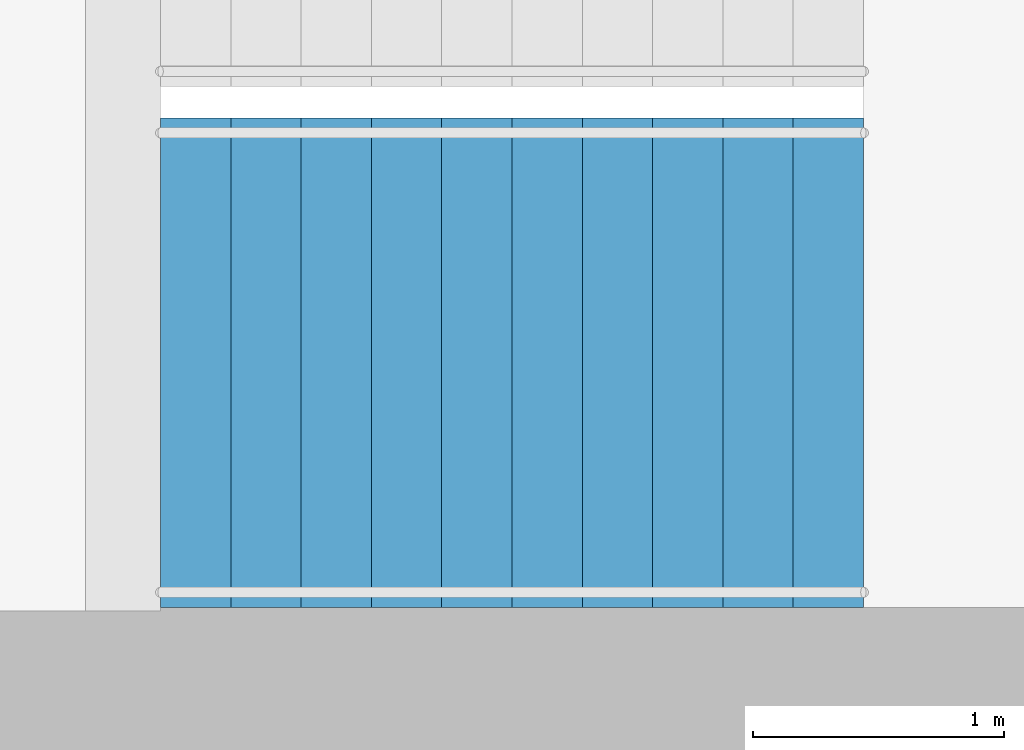
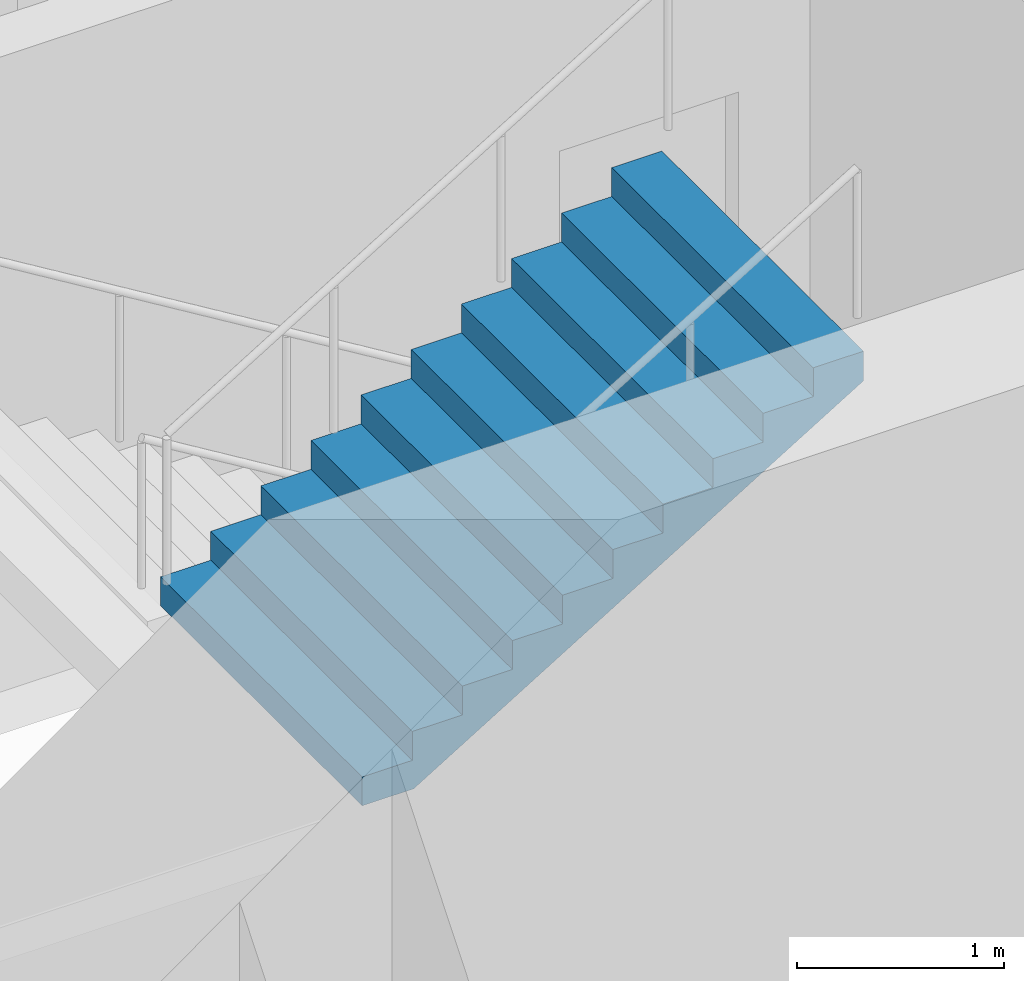
# One storey, part 20 of 22: 1 stair flight, 1 element without a shape of its own.
"""IFC4 building model written with IfcOpenShell, lengths in metres."""

from ifc_helpers import new_model, si_unit, direction, frame, origin, place, context, subcontext, project, spatial, triangles, material, type_object, element, aggregate, save


model = new_model("IFC4")

# Units and contexts
model_context = context("Model", 3, precision=1e-05, world=origin(), true_north=direction((0.0, 1.0)))
body_context = subcontext(model_context, "Body", "Model", "MODEL_VIEW")
ifc_project = project(units=[si_unit("LENGTHUNIT", "METRE"), si_unit("AREAUNIT", "SQUARE_METRE"), si_unit("VOLUMEUNIT", "CUBIC_METRE"), si_unit("PLANEANGLEUNIT", "RADIAN"), si_unit("MASSUNIT", "GRAM", prefix="KILO")], contexts=[model_context])

# Site, building, storey
site_placement = place(None, origin())
site = spatial("IfcSite", under=ifc_project, at=site_placement, CompositionType="ELEMENT")
building_placement = place(site_placement, origin())
building = spatial("IfcBuilding", under=site, at=building_placement, Name="Orbita Commons", CompositionType="ELEMENT")
storey_placement = place(building_placement, frame((0.0, 0.0, 156.10009765625)))
storey = spatial("IfcBuildingStorey", under=building, at=storey_placement, Name="L38", CompositionType="ELEMENT", Elevation=156.10009765625)

# Stair, stair flight
ifc_material_1 = material(Name="Precast concrete C40/50", Category="concrete")
stair_type = type_object("IfcStairType", Name="Exit stair S2 2 flights 11 risers 170", PredefinedType="HALF_TURN_STAIR", material=ifc_material_1)
stair_placement = place(storey_placement, origin())
stair = element("IfcStair", 1, at=stair_placement, inside=storey, type_object=stair_type, Name="Exit stair S2 L38", PredefinedType="HALF_TURN_STAIR")
ifc_material_2 = material(Name="Precast concrete C40/50", Category="concrete")
stair_flight_type = type_object("IfcStairFlightType", Name="Stair flight 11 risers 170 x 280", PredefinedType="STRAIGHT", material=ifc_material_2)
stair_flight_placement = place(storey_placement, frame((60.75, 27.199951171875, 1.875), z_axis=(0.0, 0.0, 1.0), x_axis=(1.0, 0.0, 0.0)))
stair_flight = element("IfcStairFlight", 2, at=stair_flight_placement, type_object=stair_flight_type, Name="S2 flight 2", NumberOfRisers=11, NumberOfTreads=10, PredefinedType="STRAIGHT", RiserHeight=0.170454545, TreadLength=0.28, context=body_context, shape_type="Tessellation", body=[
    triangles([(0.0, 0.974976, 0.0), (0.0, 0.974976, 0.021307), (0.0, 0.81248, 0.021307), (0.0, 0.81248, 0.0), (0.0, 0.649984, 0.021307), (0.0, 0.649984, 0.0), (0.0, 0.487488, 0.021307), (0.0, 0.487488, 0.0), (0.0, 0.324992, 0.021307), (0.0, 0.324992, 0.0), (0.0, 0.162496, 0.021307), (0.0, 0.162496, 0.0), (0.0, 0.0, 0.021307), (0.0, 0.0, 0.0), (0.0, -0.162496, 0.021307), (0.0, -0.162496, 0.0), (0.0, -0.324992, 0.021307), (0.0, -0.324992, 0.0), (0.0, -0.487488, 0.021307), (0.0, -0.487488, 0.0), (0.0, -0.649984, 0.021307), (0.0, -0.649984, 0.0), (0.0, -0.81248, 0.021307), (0.0, -0.81248, 0.0), (0.0, -0.974976, 0.021307), (0.0, -0.974976, 0.0), (0.0, 0.974976, 0.042614), (0.0, 0.81248, 0.042614), (0.0, 0.649984, 0.042614), (0.0, 0.487488, 0.042614), (0.0, 0.324992, 0.042614), (0.0, 0.162496, 0.042614), (0.0, 0.0, 0.042614), (0.0, -0.162496, 0.042614), (0.0, -0.324992, 0.042614), (0.0, -0.487488, 0.042614), (0.0, -0.649984, 0.042614), (0.0, -0.81248, 0.042614), (0.0, -0.974976, 0.042614), (0.0, 0.974976, 0.06392), (0.0, 0.81248, 0.06392), (0.0, 0.649984, 0.06392), (0.0, 0.487488, 0.06392), (0.0, 0.324992, 0.06392), (0.0, 0.162496, 0.06392), (0.0, 0.0, 0.06392), (0.0, -0.162496, 0.06392), (0.0, -0.324992, 0.06392), (0.0, -0.487488, 0.06392), (0.0, -0.649984, 0.06392), (0.0, -0.81248, 0.06392), (0.0, -0.974976, 0.06392), (0.0, 0.974976, 0.085227), (0.0, 0.81248, 0.085227), (0.0, 0.649984, 0.085227), (0.0, 0.487488, 0.085227), (0.0, 0.324992, 0.085227), (0.0, 0.162496, 0.085227), (0.0, 0.0, 0.085227), (0.0, -0.162496, 0.085227), (0.0, -0.324992, 0.085227), (0.0, -0.487488, 0.085227), (0.0, -0.649984, 0.085227), (0.0, -0.81248, 0.085227), (0.0, -0.974976, 0.085227), (0.0, 0.974976, 0.106534), (0.0, 0.81248, 0.106534), (0.0, 0.649984, 0.106534), (0.0, 0.487488, 0.106534), (0.0, 0.324992, 0.106534), (0.0, 0.162496, 0.106534), (0.0, 0.0, 0.106534), (0.0, -0.162496, 0.106534), (0.0, -0.324992, 0.106534), (0.0, -0.487488, 0.106534), (0.0, -0.649984, 0.106534), (0.0, -0.81248, 0.106534), (0.0, -0.974976, 0.106534), (0.0, 0.974976, 0.127841), (0.0, 0.81248, 0.127841), (0.0, 0.649984, 0.127841), (0.0, 0.487488, 0.127841), (0.0, 0.324992, 0.127841), (0.0, 0.162496, 0.127841), (0.0, 0.0, 0.127841), (0.0, -0.162496, 0.127841), (0.0, -0.324992, 0.127841), (0.0, -0.487488, 0.127841), (0.0, -0.649984, 0.127841), (0.0, -0.81248, 0.127841), (0.0, -0.974976, 0.127841), (0.0, 0.974976, 0.149148), (0.0, 0.81248, 0.149148), (0.0, 0.649984, 0.149148), (0.0, 0.487488, 0.149148), (0.0, 0.324992, 0.149148), (0.0, 0.162496, 0.149148), (0.0, 0.0, 0.149148), (0.0, -0.162496, 0.149148), (0.0, -0.324992, 0.149148), (0.0, -0.487488, 0.149148), (0.0, -0.649984, 0.149148), (0.0, -0.81248, 0.149148), (0.0, -0.974976, 0.149148), (0.0, 0.974976, 0.170455), (0.0, 0.81248, 0.170455), (0.0, 0.649984, 0.170455), (0.0, 0.487488, 0.170455), (0.0, 0.324992, 0.170455), (0.0, 0.162496, 0.170455), (0.0, 0.0, 0.170455), (0.0, -0.162496, 0.170455), (0.0, -0.324992, 0.170455), (0.0, -0.487488, 0.170455), (0.0, -0.649984, 0.170455), (0.0, -0.81248, 0.170455), (0.0, -0.974976, 0.170455), (0.28, 0.974976, 0.170455), (0.28, 0.81248, 0.170455), (0.28, 0.649984, 0.170455), (0.28, 0.487488, 0.170455), (0.28, 0.324992, 0.170455), (0.28, 0.162496, 0.170455), (0.28, 0.0, 0.170455), (0.28, -0.162496, 0.170455), (0.28, -0.324992, 0.170455), (0.28, -0.487488, 0.170455), (0.28, -0.649984, 0.170455), (0.28, -0.81248, 0.170455), (0.28, -0.974976, 0.170455), (0.28, 0.974976, 0.340909), (0.28, 0.81248, 0.340909), (0.28, 0.649984, 0.340909), (0.28, 0.487488, 0.340909), (0.28, 0.324992, 0.340909), (0.28, 0.162496, 0.340909), (0.28, 0.0, 0.340909), (0.28, -0.162496, 0.340909), (0.28, -0.324992, 0.340909), (0.28, -0.487488, 0.340909), (0.28, -0.649984, 0.340909), (0.28, -0.81248, 0.340909), (0.28, -0.974976, 0.340909), (0.56, 0.974976, 0.340909), (0.56, 0.81248, 0.340909), (0.56, 0.649984, 0.340909), (0.56, 0.487488, 0.340909), (0.56, 0.324992, 0.340909), (0.56, 0.162496, 0.340909), (0.56, 0.0, 0.340909), (0.56, -0.162496, 0.340909), (0.56, -0.324992, 0.340909), (0.56, -0.487488, 0.340909), (0.56, -0.649984, 0.340909), (0.56, -0.81248, 0.340909), (0.56, -0.974976, 0.340909), (0.56, 0.974976, 0.511364), (0.56, 0.81248, 0.511364), (0.56, 0.649984, 0.511364), (0.56, 0.487488, 0.511364), (0.56, 0.324992, 0.511364), (0.56, 0.162496, 0.511364), (0.56, 0.0, 0.511364), (0.56, -0.162496, 0.511364), (0.56, -0.324992, 0.511364), (0.56, -0.487488, 0.511364), (0.56, -0.649984, 0.511364), (0.56, -0.81248, 0.511364), (0.56, -0.974976, 0.511364), (0.84, 0.974976, 0.511364), (0.84, 0.81248, 0.511364), (0.84, 0.649984, 0.511364), (0.84, 0.487488, 0.511364), (0.84, 0.324992, 0.511364), (0.84, 0.162496, 0.511364), (0.84, 0.0, 0.511364), (0.84, -0.162496, 0.511364), (0.84, -0.324992, 0.511364), (0.84, -0.487488, 0.511364), (0.84, -0.649984, 0.511364), (0.84, -0.81248, 0.511364), (0.84, -0.974976, 0.511364), (0.84, 0.974976, 0.681818), (0.84, 0.81248, 0.681818), (0.84, 0.649984, 0.681818), (0.84, 0.487488, 0.681818), (0.84, 0.324992, 0.681818), (0.84, 0.162496, 0.681818), (0.84, 0.0, 0.681818), (0.84, -0.162496, 0.681818), (0.84, -0.324992, 0.681818), (0.84, -0.487488, 0.681818), (0.84, -0.649984, 0.681818), (0.84, -0.81248, 0.681818), (0.84, -0.974976, 0.681818), (1.12, 0.974976, 0.681818), (1.12, 0.81248, 0.681818), (1.12, 0.649984, 0.681818), (1.12, 0.487488, 0.681818), (1.12, 0.324992, 0.681818), (1.12, 0.162496, 0.681818), (1.12, 0.0, 0.681818), (1.12, -0.162496, 0.681818), (1.12, -0.324992, 0.681818), (1.12, -0.487488, 0.681818), (1.12, -0.649984, 0.681818), (1.12, -0.81248, 0.681818), (1.12, -0.974976, 0.681818), (1.12, 0.974976, 0.852273), (1.12, 0.81248, 0.852273), (1.12, 0.649984, 0.852273), (1.12, 0.487488, 0.852273), (1.12, 0.324992, 0.852273), (1.12, 0.162496, 0.852273), (1.12, 0.0, 0.852273), (1.12, -0.162496, 0.852273), (1.12, -0.324992, 0.852273), (1.12, -0.487488, 0.852273), (1.12, -0.649984, 0.852273), (1.12, -0.81248, 0.852273), (1.12, -0.974976, 0.852273), (1.4, 0.974976, 0.852273), (1.4, 0.81248, 0.852273), (1.4, 0.649984, 0.852273), (1.4, 0.487488, 0.852273), (1.4, 0.324992, 0.852273), (1.4, 0.162496, 0.852273), (1.4, 0.0, 0.852273), (1.4, -0.162496, 0.852273), (1.4, -0.324992, 0.852273), (1.4, -0.487488, 0.852273), (1.4, -0.649984, 0.852273), (1.4, -0.81248, 0.852273), (1.4, -0.974976, 0.852273), (1.4, 0.974976, 1.022727), (1.4, 0.81248, 1.022727), (1.4, 0.649984, 1.022727), (1.4, 0.487488, 1.022727), (1.4, 0.324992, 1.022727), (1.4, 0.162496, 1.022727), (1.4, 0.0, 1.022727), (1.4, -0.162496, 1.022727), (1.4, -0.324992, 1.022727), (1.4, -0.487488, 1.022727), (1.4, -0.649984, 1.022727), (1.4, -0.81248, 1.022727), (1.4, -0.974976, 1.022727), (1.68, 0.974976, 1.022727), (1.68, 0.81248, 1.022727), (1.68, 0.649984, 1.022727), (1.68, 0.487488, 1.022727), (1.68, 0.324992, 1.022727), (1.68, 0.162496, 1.022727), (1.68, 0.0, 1.022727), (1.68, -0.162496, 1.022727), (1.68, -0.324992, 1.022727), (1.68, -0.487488, 1.022727), (1.68, -0.649984, 1.022727), (1.68, -0.81248, 1.022727), (1.68, -0.974976, 1.022727), (1.68, 0.974976, 1.193182), (1.68, 0.81248, 1.193182), (1.68, 0.649984, 1.193182), (1.68, 0.487488, 1.193182), (1.68, 0.324992, 1.193182), (1.68, 0.162496, 1.193182), (1.68, 0.0, 1.193182), (1.68, -0.162496, 1.193182), (1.68, -0.324992, 1.193182), (1.68, -0.487488, 1.193182), (1.68, -0.649984, 1.193182), (1.68, -0.81248, 1.193182), (1.68, -0.974976, 1.193182), (1.96, 0.974976, 1.193182), (1.96, 0.81248, 1.193182), (1.96, 0.649984, 1.193182), (1.96, 0.487488, 1.193182), (1.96, 0.324992, 1.193182), (1.96, 0.162496, 1.193182), (1.96, 0.0, 1.193182), (1.96, -0.162496, 1.193182), (1.96, -0.324992, 1.193182), (1.96, -0.487488, 1.193182), (1.96, -0.649984, 1.193182), (1.96, -0.81248, 1.193182), (1.96, -0.974976, 1.193182), (1.96, 0.974976, 1.363636), (1.96, 0.81248, 1.363636), (1.96, 0.649984, 1.363636), (1.96, 0.487488, 1.363636), (1.96, 0.324992, 1.363636), (1.96, 0.162496, 1.363636), (1.96, 0.0, 1.363636), (1.96, -0.162496, 1.363636), (1.96, -0.324992, 1.363636), (1.96, -0.487488, 1.363636), (1.96, -0.649984, 1.363636), (1.96, -0.81248, 1.363636), (1.96, -0.974976, 1.363636), (2.24, 0.974976, 1.363636), (2.24, 0.81248, 1.363636), (2.24, 0.649984, 1.363636), (2.24, 0.487488, 1.363636), (2.24, 0.324992, 1.363636), (2.24, 0.162496, 1.363636), (2.24, 0.0, 1.363636), (2.24, -0.162496, 1.363636), (2.24, -0.324992, 1.363636), (2.24, -0.487488, 1.363636), (2.24, -0.649984, 1.363636), (2.24, -0.81248, 1.363636), (2.24, -0.974976, 1.363636), (2.24, 0.974976, 1.534091), (2.24, 0.81248, 1.534091), (2.24, 0.649984, 1.534091), (2.24, 0.487488, 1.534091), (2.24, 0.324992, 1.534091), (2.24, 0.162496, 1.534091), (2.24, 0.0, 1.534091), (2.24, -0.162496, 1.534091), (2.24, -0.324992, 1.534091), (2.24, -0.487488, 1.534091), (2.24, -0.649984, 1.534091), (2.24, -0.81248, 1.534091), (2.24, -0.974976, 1.534091), (2.52, 0.974976, 1.534091), (2.52, 0.81248, 1.534091), (2.52, 0.649984, 1.534091), (2.52, 0.487488, 1.534091), (2.52, 0.324992, 1.534091), (2.52, 0.162496, 1.534091), (2.52, 0.0, 1.534091), (2.52, -0.162496, 1.534091), (2.52, -0.324992, 1.534091), (2.52, -0.487488, 1.534091), (2.52, -0.649984, 1.534091), (2.52, -0.81248, 1.534091), (2.52, -0.974976, 1.534091), (2.52, 0.974976, 1.704545), (2.52, 0.81248, 1.704545), (2.52, 0.649984, 1.704545), (2.52, 0.487488, 1.704545), (2.52, 0.324992, 1.704545), (2.52, 0.162496, 1.704545), (2.52, 0.0, 1.704545), (2.52, -0.162496, 1.704545), (2.52, -0.324992, 1.704545), (2.52, -0.487488, 1.704545), (2.52, -0.649984, 1.704545), (2.52, -0.81248, 1.704545), (2.52, -0.974976, 1.704545), (2.8, 0.974976, 1.704545), (2.8, 0.81248, 1.704545), (2.8, 0.649984, 1.704545), (2.8, 0.487488, 1.704545), (2.8, 0.324992, 1.704545), (2.8, 0.162496, 1.704545), (2.8, 0.0, 1.704545), (2.8, -0.162496, 1.704545), (2.8, -0.324992, 1.704545), (2.8, -0.487488, 1.704545), (2.8, -0.649984, 1.704545), (2.8, -0.81248, 1.704545), (2.8, -0.974976, 1.704545), (2.8, 0.974976, 1.682609), (2.8, 0.81248, 1.682609), (2.8, 0.649984, 1.682609), (2.8, 0.487488, 1.682609), (2.8, 0.324992, 1.682609), (2.8, 0.162496, 1.682609), (2.8, 0.0, 1.682609), (2.8, -0.162496, 1.682609), (2.8, -0.324992, 1.682609), (2.8, -0.487488, 1.682609), (2.8, -0.649984, 1.682609), (2.8, -0.81248, 1.682609), (2.8, -0.974976, 1.682609), (2.8, 0.974976, 1.660672), (2.8, 0.81248, 1.660672), (2.8, 0.649984, 1.660672), (2.8, 0.487488, 1.660672), (2.8, 0.324992, 1.660672), (2.8, 0.162496, 1.660672), (2.8, 0.0, 1.660672), (2.8, -0.162496, 1.660672), (2.8, -0.324992, 1.660672), (2.8, -0.487488, 1.660672), (2.8, -0.649984, 1.660672), (2.8, -0.81248, 1.660672), (2.8, -0.974976, 1.660672), (2.8, 0.974976, 1.638735), (2.8, 0.81248, 1.638735), (2.8, 0.649984, 1.638735), (2.8, 0.487488, 1.638735), (2.8, 0.324992, 1.638735), (2.8, 0.162496, 1.638735), (2.8, 0.0, 1.638735), (2.8, -0.162496, 1.638735), (2.8, -0.324992, 1.638735), (2.8, -0.487488, 1.638735), (2.8, -0.649984, 1.638735), (2.8, -0.81248, 1.638735), (2.8, -0.974976, 1.638735), (2.8, 0.974976, 1.616798), (2.8, 0.81248, 1.616798), (2.8, 0.649984, 1.616798), (2.8, 0.487488, 1.616798), (2.8, 0.324992, 1.616798), (2.8, 0.162496, 1.616798), (2.8, 0.0, 1.616798), (2.8, -0.162496, 1.616798), (2.8, -0.324992, 1.616798), (2.8, -0.487488, 1.616798), (2.8, -0.649984, 1.616798), (2.8, -0.81248, 1.616798), (2.8, -0.974976, 1.616798), (2.8, 0.974976, 1.594861), (2.8, 0.81248, 1.594861), (2.8, 0.649984, 1.594861), (2.8, 0.487488, 1.594861), (2.8, 0.324992, 1.594861), (2.8, 0.162496, 1.594861), (2.8, 0.0, 1.594861), (2.8, -0.162496, 1.594861), (2.8, -0.324992, 1.594861), (2.8, -0.487488, 1.594861), (2.8, -0.649984, 1.594861), (2.8, -0.81248, 1.594861), (2.8, -0.974976, 1.594861), (2.8, 0.974976, 1.572925), (2.8, 0.81248, 1.572925), (2.8, 0.649984, 1.572925), (2.8, 0.487488, 1.572925), (2.8, 0.324992, 1.572925), (2.8, 0.162496, 1.572925), (2.8, 0.0, 1.572925), (2.8, -0.162496, 1.572925), (2.8, -0.324992, 1.572925), (2.8, -0.487488, 1.572925), (2.8, -0.649984, 1.572925), (2.8, -0.81248, 1.572925), (2.8, -0.974976, 1.572925), (2.8, 0.974976, 1.550988), (2.8, 0.81248, 1.550988), (2.8, 0.649984, 1.550988), (2.8, 0.487488, 1.550988), (2.8, 0.324992, 1.550988), (2.8, 0.162496, 1.550988), (2.8, 0.0, 1.550988), (2.8, -0.162496, 1.550988), (2.8, -0.324992, 1.550988), (2.8, -0.487488, 1.550988), (2.8, -0.649984, 1.550988), (2.8, -0.81248, 1.550988), (2.8, -0.974976, 1.550988), (2.8, 0.974976, 1.529051), (2.8, 0.81248, 1.529051), (2.8, 0.649984, 1.529051), (2.8, 0.487488, 1.529051), (2.8, 0.324992, 1.529051), (2.8, 0.162496, 1.529051), (2.8, 0.0, 1.529051), (2.8, -0.162496, 1.529051), (2.8, -0.324992, 1.529051), (2.8, -0.487488, 1.529051), (2.8, -0.649984, 1.529051), (2.8, -0.81248, 1.529051), (2.8, -0.974976, 1.529051), (0.288279, 0.974976, 0.0), (0.288279, 0.81248, 0.0), (0.288279, 0.649984, 0.0), (0.288279, 0.487488, 0.0), (0.288279, 0.324992, 0.0), (0.288279, 0.162496, 0.0), (0.288279, 0.0, 0.0), (0.288279, -0.162496, 0.0), (0.288279, -0.324992, 0.0), (0.288279, -0.487488, 0.0), (0.288279, -0.649984, 0.0), (0.288279, -0.81248, 0.0), (0.288279, -0.974976, 0.0)], [[3, 2, 1], [4, 3, 1], [5, 3, 4], [6, 5, 4], [7, 5, 6], [8, 7, 6], [9, 7, 8], [10, 9, 8], [11, 9, 10], [12, 11, 10], [13, 11, 12], [14, 13, 12], [15, 13, 14], [16, 15, 14], [17, 15, 16], [18, 17, 16], [19, 17, 18], [20, 19, 18], [21, 19, 20], [22, 21, 20], [23, 21, 22], [24, 23, 22], [25, 23, 24], [26, 25, 24], [28, 27, 2], [3, 28, 2], [29, 28, 3], [5, 29, 3], [30, 29, 5], [7, 30, 5], [31, 30, 7], [9, 31, 7], [32, 31, 9], [11, 32, 9], [33, 32, 11], [13, 33, 11], [34, 33, 13], [15, 34, 13], [35, 34, 15], [17, 35, 15], [36, 35, 17], [19, 36, 17], [37, 36, 19], [21, 37, 19], [38, 37, 21], [23, 38, 21], [39, 38, 23], [25, 39, 23], [41, 40, 27], [28, 41, 27], [42, 41, 28], [29, 42, 28], [43, 42, 29], [30, 43, 29], [44, 43, 30], [31, 44, 30], [45, 44, 31], [32, 45, 31], [46, 45, 32], [33, 46, 32], [47, 46, 33], [34, 47, 33], [48, 47, 34], [35, 48, 34], [49, 48, 35], [36, 49, 35], [50, 49, 36], [37, 50, 36], [51, 50, 37], [38, 51, 37], [52, 51, 38], [39, 52, 38], [54, 53, 40], [41, 54, 40], [55, 54, 41], [42, 55, 41], [56, 55, 42], [43, 56, 42], [57, 56, 43], [44, 57, 43], [58, 57, 44], [45, 58, 44], [59, 58, 45], [46, 59, 45], [60, 59, 46], [47, 60, 46], [61, 60, 47], [48, 61, 47], [62, 61, 48], [49, 62, 48], [63, 62, 49], [50, 63, 49], [64, 63, 50], [51, 64, 50], [65, 64, 51], [52, 65, 51], [67, 66, 53], [54, 67, 53], [68, 67, 54], [55, 68, 54], [69, 68, 55], [56, 69, 55], [70, 69, 56], [57, 70, 56], [71, 70, 57], [58, 71, 57], [72, 71, 58], [59, 72, 58], [73, 72, 59], [60, 73, 59], [74, 73, 60], [61, 74, 60], [75, 74, 61], [62, 75, 61], [76, 75, 62], [63, 76, 62], [77, 76, 63], [64, 77, 63], [78, 77, 64], [65, 78, 64], [80, 79, 66], [67, 80, 66], [81, 80, 67], [68, 81, 67], [82, 81, 68], [69, 82, 68], [83, 82, 69], [70, 83, 69], [84, 83, 70], [71, 84, 70], [85, 84, 71], [72, 85, 71], [86, 85, 72], [73, 86, 72], [87, 86, 73], [74, 87, 73], [88, 87, 74], [75, 88, 74], [89, 88, 75], [76, 89, 75], [90, 89, 76], [77, 90, 76], [91, 90, 77], [78, 91, 77], [93, 92, 79], [80, 93, 79], [94, 93, 80], [81, 94, 80], [95, 94, 81], [82, 95, 81], [96, 95, 82], [83, 96, 82], [97, 96, 83], [84, 97, 83], [98, 97, 84], [85, 98, 84], [99, 98, 85], [86, 99, 85], [100, 99, 86], [87, 100, 86], [101, 100, 87], [88, 101, 87], [102, 101, 88], [89, 102, 88], [103, 102, 89], [90, 103, 89], [104, 103, 90], [91, 104, 90], [106, 105, 92], [93, 106, 92], [107, 106, 93], [94, 107, 93], [108, 107, 94], [95, 108, 94], [109, 108, 95], [96, 109, 95], [110, 109, 96], [97, 110, 96], [111, 110, 97], [98, 111, 97], [112, 111, 98], [99, 112, 98], [113, 112, 99], [100, 113, 99], [114, 113, 100], [101, 114, 100], [115, 114, 101], [102, 115, 101], [116, 115, 102], [103, 116, 102], [117, 116, 103], [104, 117, 103], [119, 118, 105], [106, 119, 105], [120, 119, 106], [107, 120, 106], [121, 120, 107], [108, 121, 107], [122, 121, 108], [109, 122, 108], [123, 122, 109], [110, 123, 109], [124, 123, 110], [111, 124, 110], [125, 124, 111], [112, 125, 111], [126, 125, 112], [113, 126, 112], [127, 126, 113], [114, 127, 113], [128, 127, 114], [115, 128, 114], [129, 128, 115], [116, 129, 115], [130, 129, 116], [117, 130, 116], [132, 131, 118], [119, 132, 118], [133, 132, 119], [120, 133, 119], [134, 133, 120], [121, 134, 120], [135, 134, 121], [122, 135, 121], [136, 135, 122], [123, 136, 122], [137, 136, 123], [124, 137, 123], [138, 137, 124], [125, 138, 124], [139, 138, 125], [126, 139, 125], [140, 139, 126], [127, 140, 126], [141, 140, 127], [128, 141, 127], [142, 141, 128], [129, 142, 128], [143, 142, 129], [130, 143, 129], [145, 144, 131], [132, 145, 131], [146, 145, 132], [133, 146, 132], [147, 146, 133], [134, 147, 133], [148, 147, 134], [135, 148, 134], [149, 148, 135], [136, 149, 135], [150, 149, 136], [137, 150, 136], [151, 150, 137], [138, 151, 137], [152, 151, 138], [139, 152, 138], [153, 152, 139], [140, 153, 139], [154, 153, 140], [141, 154, 140], [155, 154, 141], [142, 155, 141], [156, 155, 142], [143, 156, 142], [158, 157, 144], [145, 158, 144], [159, 158, 145], [146, 159, 145], [160, 159, 146], [147, 160, 146], [161, 160, 147], [148, 161, 147], [162, 161, 148], [149, 162, 148], [163, 162, 149], [150, 163, 149], [164, 163, 150], [151, 164, 150], [165, 164, 151], [152, 165, 151], [166, 165, 152], [153, 166, 152], [167, 166, 153], [154, 167, 153], [168, 167, 154], [155, 168, 154], [169, 168, 155], [156, 169, 155], [171, 170, 157], [158, 171, 157], [172, 171, 158], [159, 172, 158], [173, 172, 159], [160, 173, 159], [174, 173, 160], [161, 174, 160], [175, 174, 161], [162, 175, 161], [176, 175, 162], [163, 176, 162], [177, 176, 163], [164, 177, 163], [178, 177, 164], [165, 178, 164], [179, 178, 165], [166, 179, 165], [180, 179, 166], [167, 180, 166], [181, 180, 167], [168, 181, 167], [182, 181, 168], [169, 182, 168], [184, 183, 170], [171, 184, 170], [185, 184, 171], [172, 185, 171], [186, 185, 172], [173, 186, 172], [187, 186, 173], [174, 187, 173], [188, 187, 174], [175, 188, 174], [189, 188, 175], [176, 189, 175], [190, 189, 176], [177, 190, 176], [191, 190, 177], [178, 191, 177], [192, 191, 178], [179, 192, 178], [193, 192, 179], [180, 193, 179], [194, 193, 180], [181, 194, 180], [195, 194, 181], [182, 195, 181], [197, 196, 183], [184, 197, 183], [198, 197, 184], [185, 198, 184], [199, 198, 185], [186, 199, 185], [200, 199, 186], [187, 200, 186], [201, 200, 187], [188, 201, 187], [202, 201, 188], [189, 202, 188], [203, 202, 189], [190, 203, 189], [204, 203, 190], [191, 204, 190], [205, 204, 191], [192, 205, 191], [206, 205, 192], [193, 206, 192], [207, 206, 193], [194, 207, 193], [208, 207, 194], [195, 208, 194], [210, 209, 196], [197, 210, 196], [211, 210, 197], [198, 211, 197], [212, 211, 198], [199, 212, 198], [213, 212, 199], [200, 213, 199], [214, 213, 200], [201, 214, 200], [215, 214, 201], [202, 215, 201], [216, 215, 202], [203, 216, 202], [217, 216, 203], [204, 217, 203], [218, 217, 204], [205, 218, 204], [219, 218, 205], [206, 219, 205], [220, 219, 206], [207, 220, 206], [221, 220, 207], [208, 221, 207], [223, 222, 209], [210, 223, 209], [224, 223, 210], [211, 224, 210], [225, 224, 211], [212, 225, 211], [226, 225, 212], [213, 226, 212], [227, 226, 213], [214, 227, 213], [228, 227, 214], [215, 228, 214], [229, 228, 215], [216, 229, 215], [230, 229, 216], [217, 230, 216], [231, 230, 217], [218, 231, 217], [232, 231, 218], [219, 232, 218], [233, 232, 219], [220, 233, 219], [234, 233, 220], [221, 234, 220], [236, 235, 222], [223, 236, 222], [237, 236, 223], [224, 237, 223], [238, 237, 224], [225, 238, 224], [239, 238, 225], [226, 239, 225], [240, 239, 226], [227, 240, 226], [241, 240, 227], [228, 241, 227], [242, 241, 228], [229, 242, 228], [243, 242, 229], [230, 243, 229], [244, 243, 230], [231, 244, 230], [245, 244, 231], [232, 245, 231], [246, 245, 232], [233, 246, 232], [247, 246, 233], [234, 247, 233], [249, 248, 235], [236, 249, 235], [250, 249, 236], [237, 250, 236], [251, 250, 237], [238, 251, 237], [252, 251, 238], [239, 252, 238], [253, 252, 239], [240, 253, 239], [254, 253, 240], [241, 254, 240], [255, 254, 241], [242, 255, 241], [256, 255, 242], [243, 256, 242], [257, 256, 243], [244, 257, 243], [258, 257, 244], [245, 258, 244], [259, 258, 245], [246, 259, 245], [260, 259, 246], [247, 260, 246], [262, 261, 248], [249, 262, 248], [263, 262, 249], [250, 263, 249], [264, 263, 250], [251, 264, 250], [265, 264, 251], [252, 265, 251], [266, 265, 252], [253, 266, 252], [267, 266, 253], [254, 267, 253], [268, 267, 254], [255, 268, 254], [269, 268, 255], [256, 269, 255], [270, 269, 256], [257, 270, 256], [271, 270, 257], [258, 271, 257], [272, 271, 258], [259, 272, 258], [273, 272, 259], [260, 273, 259], [275, 274, 261], [262, 275, 261], [276, 275, 262], [263, 276, 262], [277, 276, 263], [264, 277, 263], [278, 277, 264], [265, 278, 264], [279, 278, 265], [266, 279, 265], [280, 279, 266], [267, 280, 266], [281, 280, 267], [268, 281, 267], [282, 281, 268], [269, 282, 268], [283, 282, 269], [270, 283, 269], [284, 283, 270], [271, 284, 270], [285, 284, 271], [272, 285, 271], [286, 285, 272], [273, 286, 272], [288, 287, 274], [275, 288, 274], [289, 288, 275], [276, 289, 275], [290, 289, 276], [277, 290, 276], [291, 290, 277], [278, 291, 277], [292, 291, 278], [279, 292, 278], [293, 292, 279], [280, 293, 279], [294, 293, 280], [281, 294, 280], [295, 294, 281], [282, 295, 281], [296, 295, 282], [283, 296, 282], [297, 296, 283], [284, 297, 283], [298, 297, 284], [285, 298, 284], [299, 298, 285], [286, 299, 285], [301, 300, 287], [288, 301, 287], [302, 301, 288], [289, 302, 288], [303, 302, 289], [290, 303, 289], [304, 303, 290], [291, 304, 290], [305, 304, 291], [292, 305, 291], [306, 305, 292], [293, 306, 292], [307, 306, 293], [294, 307, 293], [308, 307, 294], [295, 308, 294], [309, 308, 295], [296, 309, 295], [310, 309, 296], [297, 310, 296], [311, 310, 297], [298, 311, 297], [312, 311, 298], [299, 312, 298], [314, 313, 300], [301, 314, 300], [315, 314, 301], [302, 315, 301], [316, 315, 302], [303, 316, 302], [317, 316, 303], [304, 317, 303], [318, 317, 304], [305, 318, 304], [319, 318, 305], [306, 319, 305], [320, 319, 306], [307, 320, 306], [321, 320, 307], [308, 321, 307], [322, 321, 308], [309, 322, 308], [323, 322, 309], [310, 323, 309], [324, 323, 310], [311, 324, 310], [325, 324, 311], [312, 325, 311], [327, 326, 313], [314, 327, 313], [328, 327, 314], [315, 328, 314], [329, 328, 315], [316, 329, 315], [330, 329, 316], [317, 330, 316], [331, 330, 317], [318, 331, 317], [332, 331, 318], [319, 332, 318], [333, 332, 319], [320, 333, 319], [334, 333, 320], [321, 334, 320], [335, 334, 321], [322, 335, 321], [336, 335, 322], [323, 336, 322], [337, 336, 323], [324, 337, 323], [338, 337, 324], [325, 338, 324], [340, 339, 326], [327, 340, 326], [341, 340, 327], [328, 341, 327], [342, 341, 328], [329, 342, 328], [343, 342, 329], [330, 343, 329], [344, 343, 330], [331, 344, 330], [345, 344, 331], [332, 345, 331], [346, 345, 332], [333, 346, 332], [347, 346, 333], [334, 347, 333], [348, 347, 334], [335, 348, 334], [349, 348, 335], [336, 349, 335], [350, 349, 336], [337, 350, 336], [351, 350, 337], [338, 351, 337], [353, 352, 339], [340, 353, 339], [354, 353, 340], [341, 354, 340], [355, 354, 341], [342, 355, 341], [356, 355, 342], [343, 356, 342], [357, 356, 343], [344, 357, 343], [358, 357, 344], [345, 358, 344], [359, 358, 345], [346, 359, 345], [360, 359, 346], [347, 360, 346], [361, 360, 347], [348, 361, 347], [362, 361, 348], [349, 362, 348], [363, 362, 349], [350, 363, 349], [364, 363, 350], [351, 364, 350], [366, 365, 352], [353, 366, 352], [367, 366, 353], [354, 367, 353], [368, 367, 354], [355, 368, 354], [369, 368, 355], [356, 369, 355], [370, 369, 356], [357, 370, 356], [371, 370, 357], [358, 371, 357], [372, 371, 358], [359, 372, 358], [373, 372, 359], [360, 373, 359], [374, 373, 360], [361, 374, 360], [375, 374, 361], [362, 375, 361], [376, 375, 362], [363, 376, 362], [377, 376, 363], [364, 377, 363], [379, 378, 365], [366, 379, 365], [380, 379, 366], [367, 380, 366], [381, 380, 367], [368, 381, 367], [382, 381, 368], [369, 382, 368], [383, 382, 369], [370, 383, 369], [384, 383, 370], [371, 384, 370], [385, 384, 371], [372, 385, 371], [386, 385, 372], [373, 386, 372], [387, 386, 373], [374, 387, 373], [388, 387, 374], [375, 388, 374], [389, 388, 375], [376, 389, 375], [390, 389, 376], [377, 390, 376], [392, 391, 378], [379, 392, 378], [393, 392, 379], [380, 393, 379], [394, 393, 380], [381, 394, 380], [395, 394, 381], [382, 395, 381], [396, 395, 382], [383, 396, 382], [397, 396, 383], [384, 397, 383], [398, 397, 384], [385, 398, 384], [399, 398, 385], [386, 399, 385], [400, 399, 386], [387, 400, 386], [401, 400, 387], [388, 401, 387], [402, 401, 388], [389, 402, 388], [403, 402, 389], [390, 403, 389], [405, 404, 391], [392, 405, 391], [406, 405, 392], [393, 406, 392], [407, 406, 393], [394, 407, 393], [408, 407, 394], [395, 408, 394], [409, 408, 395], [396, 409, 395], [410, 409, 396], [397, 410, 396], [411, 410, 397], [398, 411, 397], [412, 411, 398], [399, 412, 398], [413, 412, 399], [400, 413, 399], [414, 413, 400], [401, 414, 400], [415, 414, 401], [402, 415, 401], [416, 415, 402], [403, 416, 402], [418, 417, 404], [405, 418, 404], [419, 418, 405], [406, 419, 405], [420, 419, 406], [407, 420, 406], [421, 420, 407], [408, 421, 407], [422, 421, 408], [409, 422, 408], [423, 422, 409], [410, 423, 409], [424, 423, 410], [411, 424, 410], [425, 424, 411], [412, 425, 411], [426, 425, 412], [413, 426, 412], [427, 426, 413], [414, 427, 413], [428, 427, 414], [415, 428, 414], [429, 428, 415], [416, 429, 415], [431, 430, 417], [418, 431, 417], [432, 431, 418], [419, 432, 418], [433, 432, 419], [420, 433, 419], [434, 433, 420], [421, 434, 420], [435, 434, 421], [422, 435, 421], [436, 435, 422], [423, 436, 422], [437, 436, 423], [424, 437, 423], [438, 437, 424], [425, 438, 424], [439, 438, 425], [426, 439, 425], [440, 439, 426], [427, 440, 426], [441, 440, 427], [428, 441, 427], [442, 441, 428], [429, 442, 428], [444, 443, 430], [431, 444, 430], [445, 444, 431], [432, 445, 431], [446, 445, 432], [433, 446, 432], [447, 446, 433], [434, 447, 433], [448, 447, 434], [435, 448, 434], [449, 448, 435], [436, 449, 435], [450, 449, 436], [437, 450, 436], [451, 450, 437], [438, 451, 437], [452, 451, 438], [439, 452, 438], [453, 452, 439], [440, 453, 439], [454, 453, 440], [441, 454, 440], [455, 454, 441], [442, 455, 441], [457, 456, 443], [444, 457, 443], [458, 457, 444], [445, 458, 444], [459, 458, 445], [446, 459, 445], [460, 459, 446], [447, 460, 446], [461, 460, 447], [448, 461, 447], [462, 461, 448], [449, 462, 448], [463, 462, 449], [450, 463, 449], [464, 463, 450], [451, 464, 450], [465, 464, 451], [452, 465, 451], [466, 465, 452], [453, 466, 452], [467, 466, 453], [454, 467, 453], [468, 467, 454], [455, 468, 454], [470, 469, 456], [457, 470, 456], [471, 470, 457], [458, 471, 457], [472, 471, 458], [459, 472, 458], [473, 472, 459], [460, 473, 459], [474, 473, 460], [461, 474, 460], [475, 474, 461], [462, 475, 461], [476, 475, 462], [463, 476, 462], [477, 476, 463], [464, 477, 463], [478, 477, 464], [465, 478, 464], [479, 478, 465], [466, 479, 465], [480, 479, 466], [467, 480, 466], [481, 480, 467], [468, 481, 467], [4, 1, 469], [470, 4, 469], [6, 4, 470], [471, 6, 470], [8, 6, 471], [472, 8, 471], [10, 8, 472], [473, 10, 472], [12, 10, 473], [474, 12, 473], [14, 12, 474], [475, 14, 474], [16, 14, 475], [476, 16, 475], [18, 16, 476], [477, 18, 476], [20, 18, 477], [478, 20, 477], [22, 20, 478], [479, 22, 478], [24, 22, 479], [480, 24, 479], [26, 24, 480], [481, 26, 480], [456, 469, 1], [26, 481, 468], [443, 456, 1], [26, 468, 455], [430, 443, 1], [26, 455, 442], [417, 430, 1], [26, 442, 429], [404, 417, 1], [26, 429, 416], [391, 404, 1], [26, 416, 403], [378, 391, 1], [26, 403, 390], [365, 378, 1], [26, 390, 377], [339, 352, 365], [377, 364, 351], [326, 339, 365], [377, 351, 338], [300, 313, 326], [338, 325, 312], [300, 326, 365], [377, 338, 312], [274, 287, 300], [312, 299, 286], [274, 300, 365], [377, 312, 286], [248, 261, 274], [286, 273, 260], [248, 274, 365], [377, 286, 260], [222, 235, 248], [260, 247, 234], [222, 248, 365], [377, 260, 234], [196, 209, 222], [234, 221, 208], [196, 222, 365], [377, 234, 208], [170, 183, 196], [208, 195, 182], [170, 196, 365], [377, 208, 182], [144, 157, 170], [182, 169, 156], [144, 170, 365], [377, 182, 156], [118, 131, 144], [156, 143, 130], [118, 144, 365], [377, 156, 130], [118, 365, 1], [26, 377, 130], [92, 105, 118], [130, 117, 104], [79, 92, 118], [130, 104, 91], [66, 79, 118], [130, 91, 78], [53, 66, 118], [130, 78, 65], [40, 53, 118], [130, 65, 52], [27, 40, 118], [130, 52, 39], [2, 27, 118], [130, 39, 25], [1, 2, 118], [130, 25, 26]], closed=True),
])
aggregate(stair, [stair_flight])

save(model, "model.ifc")
